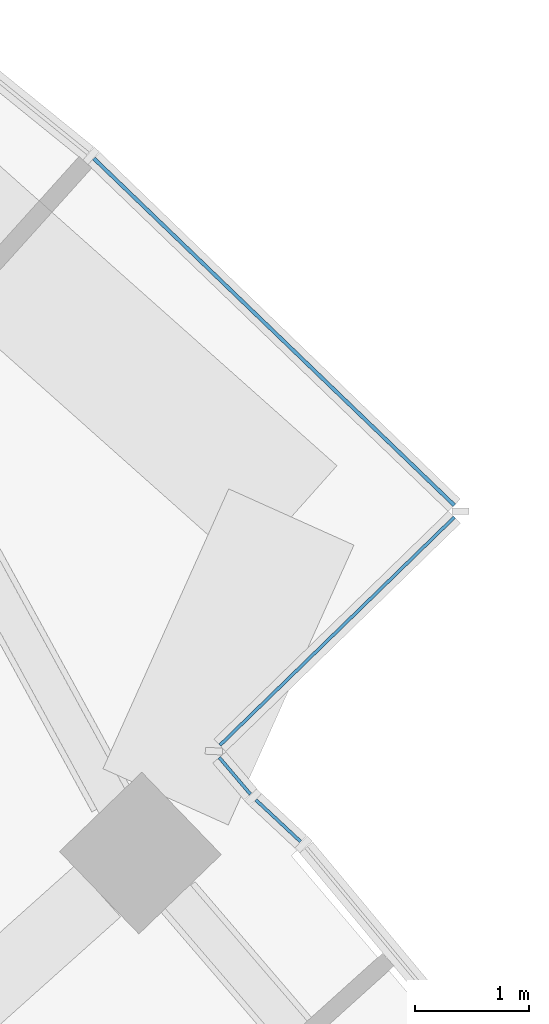
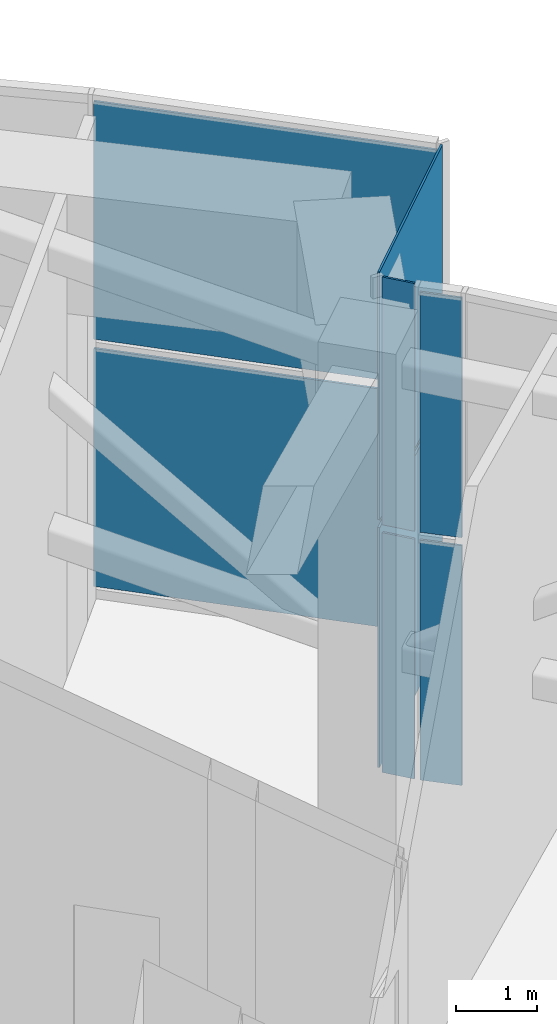
# One storey, part 19 of 32: 8 plates, 4 elements without a shape of their own.
"""IFC4 building model written with IfcOpenShell, lengths in metres."""

from ifc_helpers import new_model, si_unit, direction, frame, origin, origin_2d, place, context, subcontext, project, spatial, rectangle, extrude, material, layer, layer_set, type_object, element, aggregate, save


model = new_model("IFC4")

# Units and contexts
model_context = context("Model", 3, precision=1e-05, world=origin(), true_north=direction((0.0, 1.0)))
body_context = subcontext(model_context, "Body", "Model", "MODEL_VIEW")
ifc_project = project(units=[si_unit("LENGTHUNIT", "METRE"), si_unit("AREAUNIT", "SQUARE_METRE"), si_unit("VOLUMEUNIT", "CUBIC_METRE"), si_unit("PLANEANGLEUNIT", "RADIAN"), si_unit("MASSUNIT", "GRAM", prefix="KILO")], contexts=[model_context])

# Site, building, storey
site_placement = place(None, origin())
site = spatial("IfcSite", under=ifc_project, at=site_placement, CompositionType="ELEMENT")
building_placement = place(site_placement, origin())
building = spatial("IfcBuilding", under=site, at=building_placement, Name="Stone Belt Terrace Tower", CompositionType="ELEMENT")
storey_placement = place(building_placement, frame((0.0, 0.0, 193.39990234375)))
storey = spatial("IfcBuildingStorey", under=building, at=storey_placement, Name="L47", CompositionType="ELEMENT", Elevation=193.39990234375)

# Curtain wall, plates
ifc_material_1 = material(Name="Aluminium 6063-T6 anodised frame", Category="aluminium")
ifc_layer_1 = layer(ifc_material_1, 0.14990234375)
ifc_layer_set_1 = layer_set([ifc_layer_1], Name="CW-A unitised convex-face curtain wall")
curtain_wall_type_1 = type_object("IfcCurtainWallType", Name="CW-A unitised convex-face curtain wall", PredefinedType="NOTDEFINED", material=ifc_layer_set_1)
curtain_wall_1_placement = place(storey_placement, origin())
curtain_wall_1 = element("IfcCurtainWall", 1, at=curtain_wall_1_placement, inside=storey, type_object=curtain_wall_type_1, Name="CW-A convex face L47", PredefinedType="NOTDEFINED")
ifc_material_2 = material(Name="Terracotta coloured glazed ceramic", Category="masonry")
ifc_layer_2 = layer(ifc_material_2, 0.031982421875)
ifc_layer_set_2 = layer_set([ifc_layer_2], Name="CW-A ceramic louvre panel 32")
plate_type_1 = type_object("IfcPlateType", Name="CW-A ceramic louvre panel 32", PredefinedType="CURTAIN_PANEL", material=ifc_layer_set_2)
plate_1_placement = place(storey_placement, frame((46.14599609375, 47.936767578125, 0.14013671875), z_axis=(0.0, 0.0, 1.0), x_axis=(-0.720604393579, 0.693346455933, 0.0)))
plate_1 = element("IfcPlate", 2, at=plate_1_placement, type_object=plate_type_1, Name="CW-A louvre panel 1.1", PredefinedType="CURTAIN_PANEL", context=body_context, shape_type="SweptSolid", body=[
    extrude(rectangle(XDim=4.372314453125, YDim=0.031982421875, at=origin_2d()), origin(), (0.0, 0.0, 1.0), 3.590087890625),
])
plate_2_placement = place(storey_placement, frame((46.14599609375, 47.936767578125, 3.8701171875), z_axis=(0.0, 0.0, 1.0), x_axis=(-0.720604393579, 0.693346455933, 0.0)))
plate_2 = element("IfcPlate", 3, at=plate_2_placement, type_object=plate_type_1, Name="CW-A louvre panel 1.2", PredefinedType="CURTAIN_PANEL", context=body_context, shape_type="SweptSolid", body=[
    extrude(rectangle(XDim=4.372314453125, YDim=0.031982421875, at=origin_2d()), origin(), (0.0, 0.0, 1.0), 3.590087890625),
])
aggregate(curtain_wall_1, [plate_1, plate_2])

ifc_layer_3 = layer(ifc_material_1, 0.14990234375)
ifc_layer_set_3 = layer_set([ifc_layer_3], Name="CW-C stick curtain wall, horn ends and notches")
curtain_wall_type_2 = type_object("IfcCurtainWallType", Name="CW-C stick curtain wall, horn ends and notches", PredefinedType="NOTDEFINED", material=ifc_layer_set_3)
curtain_wall_2_placement = place(storey_placement, origin())
curtain_wall_2 = element("IfcCurtainWall", 4, at=curtain_wall_2_placement, inside=storey, type_object=curtain_wall_type_2, Name="CW-C end face L47", PredefinedType="NOTDEFINED")
ifc_layer_4 = layer(ifc_material_2, 0.028076171875)
ifc_layer_set_4 = layer_set([ifc_layer_4], Name="CW-C ceramic louvre panel 28")
plate_type_2 = type_object("IfcPlateType", Name="CW-C ceramic louvre panel 28", PredefinedType="CURTAIN_PANEL", material=ifc_layer_set_4)
plate_3_placement = place(storey_placement, frame((46.1826171875, 43.6630859375, 0.1201171875), z_axis=(0.0, 0.0, 1.0), x_axis=(-0.731339333871, 0.682013767261, 0.0)))
plate_3 = element("IfcPlate", 5, at=plate_3_placement, type_object=plate_type_2, Name="CW-C louvre panel 1.1", PredefinedType="CURTAIN_PANEL", context=body_context, shape_type="SweptSolid", body=[
    extrude(rectangle(XDim=0.534912109375, YDim=0.028076171875, at=origin_2d()), origin(), (0.0, 0.0, 1.0), 3.6201171875),
])
plate_4_placement = place(storey_placement, frame((46.1826171875, 43.6630859375, 3.860107421875), z_axis=(0.0, 0.0, 1.0), x_axis=(-0.731339333871, 0.682013767261, 0.0)))
plate_4 = element("IfcPlate", 6, at=plate_4_placement, type_object=plate_type_2, Name="CW-C louvre panel 1.2", PredefinedType="CURTAIN_PANEL", context=body_context, shape_type="SweptSolid", body=[
    extrude(rectangle(XDim=0.534912109375, YDim=0.028076171875, at=origin_2d()), origin(), (0.0, 0.0, 1.0), 3.6201171875),
])
aggregate(curtain_wall_2, [plate_3, plate_4])

curtain_wall_3_placement = place(storey_placement, origin())
curtain_wall_3 = element("IfcCurtainWall", 7, at=curtain_wall_3_placement, inside=storey, type_object=curtain_wall_type_2, Name="CW-C end face L47", PredefinedType="NOTDEFINED")
plate_5_placement = place(storey_placement, frame((45.80322265625, 44.0556640625, 0.1201171875), z_axis=(0.0, 0.0, 1.0), x_axis=(-0.647210945735, 0.762310954743, 0.0)))
plate_5 = element("IfcPlate", 8, at=plate_5_placement, type_object=plate_type_2, Name="CW-C louvre panel 1.1", PredefinedType="CURTAIN_PANEL", context=body_context, shape_type="SweptSolid", body=[
    extrude(rectangle(XDim=0.421630859375, YDim=0.028076171875, at=origin_2d()), origin(), (0.0, 0.0, 1.0), 3.6201171875),
])
plate_6_placement = place(storey_placement, frame((45.80322265625, 44.0556640625, 3.85986328125), z_axis=(0.0, 0.0, 1.0), x_axis=(-0.647210945735, 0.762310954743, 0.0)))
plate_6 = element("IfcPlate", 9, at=plate_6_placement, type_object=plate_type_2, Name="CW-C louvre panel 1.2", PredefinedType="CURTAIN_PANEL", context=body_context, shape_type="SweptSolid", body=[
    extrude(rectangle(XDim=0.421630859375, YDim=0.028076171875, at=origin_2d()), origin(), (0.0, 0.0, 1.0), 3.739990234375),
])
aggregate(curtain_wall_3, [plate_5, plate_6])

curtain_wall_4_placement = place(storey_placement, origin())
curtain_wall_4 = element("IfcCurtainWall", 10, at=curtain_wall_4_placement, inside=storey, type_object=curtain_wall_type_2, Name="CW-C notch face L47", PredefinedType="NOTDEFINED")
plate_7_placement = place(storey_placement, frame((46.69677734375, 45.320068359375, 0.1201171875), z_axis=(0.0, 0.0, 1.0), x_axis=(0.71680345276, 0.697275275707, 0.0)))
plate_7 = element("IfcPlate", 11, at=plate_7_placement, type_object=plate_type_2, Name="CW-C louvre panel 1.1", PredefinedType="CURTAIN_PANEL", context=body_context, shape_type="SweptSolid", body=[
    extrude(rectangle(XDim=2.859619140625, YDim=0.028076171875, at=origin_2d()), origin(), (0.0, 0.0, 1.0), 3.6201171875),
])
plate_8_placement = place(storey_placement, frame((46.69677734375, 45.320068359375, 3.85986328125), z_axis=(0.0, 0.0, 1.0), x_axis=(0.71680345276, 0.697275275707, 0.0)))
plate_8 = element("IfcPlate", 12, at=plate_8_placement, type_object=plate_type_2, Name="CW-C louvre panel 1.2", PredefinedType="CURTAIN_PANEL", context=body_context, shape_type="SweptSolid", body=[
    extrude(rectangle(XDim=2.859619140625, YDim=0.028076171875, at=origin_2d()), origin(), (0.0, 0.0, 1.0), 3.739990234375),
])
aggregate(curtain_wall_4, [plate_7, plate_8])

save(model, "model.ifc")
